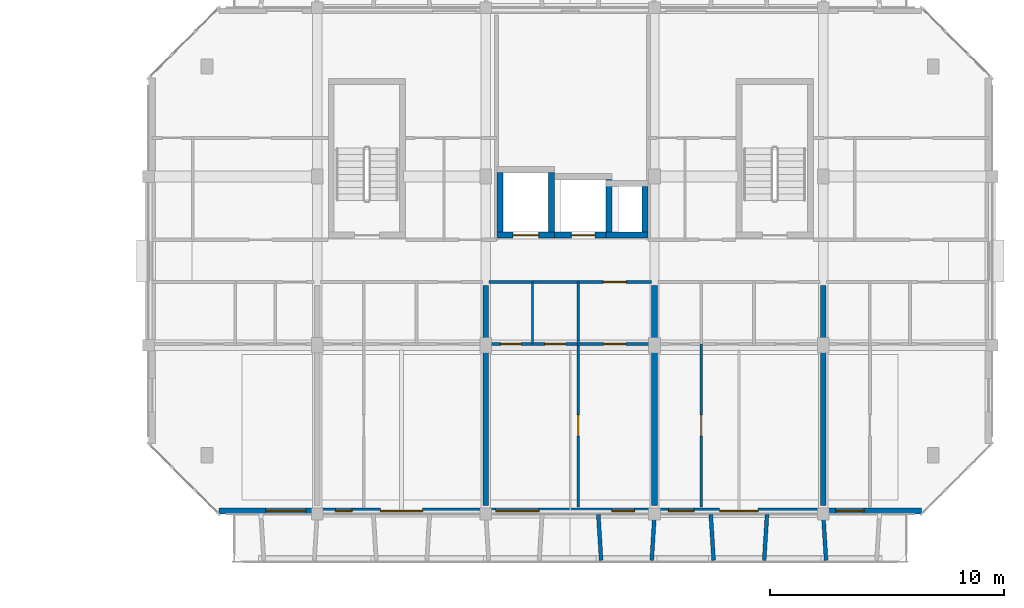
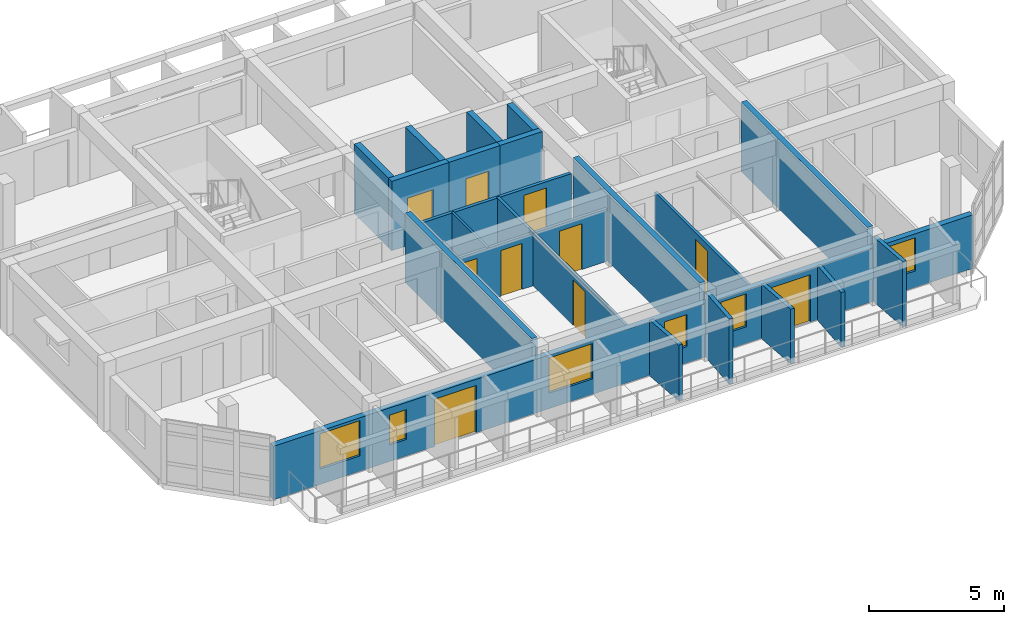
# One storey, part 23 of 44: 22 walls, 10 doors, 6 windows, 16 openings.
"""IFC4 building model written with IfcOpenShell, lengths in metres."""

from ifc_helpers import new_model, si_unit, direction, frame, frame_2d, origin, place, context, subcontext, project, spatial, rectangle, extrude, material, layer, layer_set, type_object, element, fill, save


model = new_model("IFC4")

# Units and contexts
model_context = context("Model", 3, precision=1e-05, world=origin(), true_north=direction((0.0, 1.0)))
body_context = subcontext(model_context, "Body", "Model", "MODEL_VIEW")
ifc_project = project(units=[si_unit("LENGTHUNIT", "METRE"), si_unit("AREAUNIT", "SQUARE_METRE"), si_unit("VOLUMEUNIT", "CUBIC_METRE"), si_unit("PLANEANGLEUNIT", "RADIAN"), si_unit("MASSUNIT", "GRAM", prefix="KILO")], contexts=[model_context])

# Site, building, storey
site_placement = place(None, origin())
site = spatial("IfcSite", under=ifc_project, at=site_placement, CompositionType="ELEMENT")
building_placement = place(site_placement, origin())
building = spatial("IfcBuilding", under=site, at=building_placement, Name="Ochrevale Crest", CompositionType="ELEMENT")
storey_placement = place(building_placement, frame((0.0, 0.0, 21.300048828125)))
storey = spatial("IfcBuildingStorey", under=building, at=storey_placement, Name="L06", CompositionType="ELEMENT", Elevation=21.300048828125)

# Wall, opening, door
ifc_material_1 = material(Name="Gypsum plasterboard", Category="gypsum")
ifc_layer_1 = layer(ifc_material_1, 0.139892578125)
ifc_layer_set_1 = layer_set([ifc_layer_1], Name="Gypsum plasterboard")
wall_type_1 = type_object("IfcWallType", Name="WL-COR-140", PredefinedType="PARTITIONING", material=ifc_layer_set_1)
wall_1_placement = place(storey_placement, frame((144.139892578125, 24.300048828125, 0.0), z_axis=(0.0, 0.0, 1.0), x_axis=(1.0, 0.0, 0.0)))
wall_1 = element("IfcWall", 1, at=wall_1_placement, inside=storey, type_object=wall_type_1, Name="Apartment C-L06-U3 corridor wall", PredefinedType="PARTITIONING", context=body_context, shape_type="SweptSolid", body=[
    extrude(rectangle(XDim=6.920166015625, YDim=0.139892578125, at=frame_2d((3.4599609375, 0.0))), origin(), (0.0, 0.0, 1.0), 2.3798828125),
])
opening_1_placement = place(wall_1_placement, frame((4.8701171875, 0.0, 0.0)))
opening_1 = element("IfcOpeningElement", 2, at=opening_1_placement, cuts=wall_1, Name="Opening FD01", PredefinedType="OPENING", context=body_context, shape_type="SweptSolid", body=[
    extrude(rectangle(XDim=0.97998046875, YDim=2.10009765625, at=frame_2d((0.489990234375, 1.050048828125))), frame((0.0, 0.080078125, 0.0), z_axis=(0.0, -1.0, 0.0), x_axis=(1.0, 0.0, 0.0)), (0.0, 0.0, 1.0), 0.159912109375),
])
ifc_material_2 = material(Name="Solid-core FSC hardwood", Category="wood")
door_type_1 = type_object("IfcDoorType", Name="DR-APT-950", OperationType="NOTDEFINED", PredefinedType="DOOR", material=ifc_material_2)
door_1_placement = place(opening_1_placement, origin())
door_1 = element("IfcDoor", 3, at=door_1_placement, inside=storey, type_object=door_type_1, Name="Apartment C-L06-U3 entrance door", OperationType="SINGLE_SWING_LEFT", OverallHeight=2.10009765625, OverallWidth=0.97998046875, PredefinedType="DOOR", context=body_context, shape_type="SweptSolid", body=[
    extrude(rectangle(XDim=0.97998046875, YDim=2.10009765625, at=frame_2d((0.489990234375, 1.050048828125))), frame((0.0, 0.02490234375, 0.0), z_axis=(0.0, -1.0, 0.0), x_axis=(1.0, 0.0, 0.0)), (0.0, 0.0, 1.0), 0.050048828125),
])
fill(opening_1, door_1)

ifc_material_3 = material(Name="Precast concrete C50/60", Category="concrete")
ifc_layer_2 = layer(ifc_material_3, 0.2548828125)
ifc_layer_set_2 = layer_set([ifc_layer_2], Name="Precast concrete C50/60")
wall_type_2 = type_object("IfcWallType", Name="WL-CORE-255", PredefinedType="SHEAR", material=ifc_layer_set_2)
wall_2_placement = place(storey_placement, frame((144.472412109375, 26.300048828125, 0.0), z_axis=(0.0, 0.0, 1.0), x_axis=(1.0, 0.0, 0.0)))
wall_2 = element("IfcWall", 4, at=wall_2_placement, inside=storey, type_object=wall_type_2, Name="Block C L06 Lift 1 precast shaft shear wall S", PredefinedType="SHEAR", context=body_context, shape_type="SweptSolid", body=[
    extrude(rectangle(XDim=2.455078125, YDim=0.2548828125, at=frame_2d((1.2275390625, 0.0))), origin(), (0.0, 0.0, 1.0), 3.14990234375),
])
opening_2_placement = place(wall_2_placement, frame((0.677490234375, 0.0, 0.0)))
opening_2 = element("IfcOpeningElement", 5, at=opening_2_placement, cuts=wall_2, Name="Opening LD01", PredefinedType="OPENING", context=body_context, shape_type="SweptSolid", body=[
    extrude(rectangle(XDim=1.10009765625, YDim=2.14990234375, at=frame_2d((0.550048828125, 1.074951171875))), frame((0.0, 0.137451171875, 0.0), z_axis=(0.0, -1.0, 0.0), x_axis=(1.0, 0.0, 0.0)), (0.0, 0.0, 1.0), 0.27490234375),
])
door_type_2 = type_object("IfcDoorType", Name="DR-LIFT-1100", OperationType="NOTDEFINED", PredefinedType="DOOR", material=ifc_material_2)
door_2_placement = place(opening_2_placement, origin())
door_2 = element("IfcDoor", 6, at=door_2_placement, inside=storey, type_object=door_type_2, Name="Lift LF-C1 L06 sliding landing door", OperationType="SLIDING_TO_LEFT", OverallHeight=2.14990234375, OverallWidth=1.10009765625, PredefinedType="DOOR", context=body_context, shape_type="SweptSolid", body=[
    extrude(rectangle(XDim=1.10009765625, YDim=2.14990234375, at=frame_2d((0.550048828125, 1.074951171875))), frame((0.0, 0.02490234375, 0.0), z_axis=(0.0, -1.0, 0.0), x_axis=(1.0, 0.0, 0.0)), (0.0, 0.0, 1.0), 0.050048828125),
])
fill(opening_2, door_2)

# Walls
for number, where, z_axis, x_axis, name in (
    (7, (144.60009765625, 26.427490234375, 0.0), (0.0, 0.0, 1.0), (0.0, 1.0, 0.0), "Block C L06 Lift 1 precast shaft shear wall W"),
    (8, (146.800048828125, 26.427490234375, 0.0), (0.0, 0.0, 1.0), (0.0, 1.0, 0.0), "Block C L06 Lift 1 precast shaft shear wall E"),
):
    element("IfcWall", number, at=place(storey_placement, frame(where, z_axis=z_axis, x_axis=x_axis)), inside=storey, type_object=wall_type_2, Name=name, PredefinedType="SHEAR", context=body_context, shape_type="SweptSolid", body=[
        extrude(rectangle(XDim=2.544921875, YDim=0.2548828125, at=frame_2d((1.2724609375, 0.0))), origin(), (0.0, 0.0, 1.0), 3.14990234375),
    ])

# Wall, opening, door
wall_3_placement = place(storey_placement, frame((146.922607421875, 26.300048828125, 0.0), z_axis=(0.0, 0.0, 1.0), x_axis=(1.0, 0.0, 0.0)))
wall_3 = element("IfcWall", 9, at=wall_3_placement, inside=storey, type_object=wall_type_2, Name="Block C L06 Lift 2 precast shaft shear wall S", PredefinedType="SHEAR", context=body_context, shape_type="SweptSolid", body=[
    extrude(rectangle(XDim=2.454833984375, YDim=0.2548828125, at=frame_2d((1.2275390625, 0.0))), origin(), (0.0, 0.0, 1.0), 3.14990234375),
])
opening_3_placement = place(wall_3_placement, frame((0.7275390625, 0.0, 0.0)))
opening_3 = element("IfcOpeningElement", 10, at=opening_3_placement, cuts=wall_3, Name="Opening LD02", PredefinedType="OPENING", context=body_context, shape_type="SweptSolid", body=[
    extrude(rectangle(XDim=1.0, YDim=2.14990234375, at=frame_2d((0.5, 1.074951171875))), frame((0.0, 0.137451171875, 0.0), z_axis=(0.0, -1.0, 0.0), x_axis=(1.0, 0.0, 0.0)), (0.0, 0.0, 1.0), 0.27490234375),
])
door_type_3 = type_object("IfcDoorType", Name="DR-LIFT-1000", OperationType="NOTDEFINED", PredefinedType="DOOR", material=ifc_material_2)
door_3_placement = place(opening_3_placement, origin())
door_3 = element("IfcDoor", 11, at=door_3_placement, inside=storey, type_object=door_type_3, Name="Lift LP-C2 L06 sliding landing door", OperationType="SLIDING_TO_RIGHT", OverallHeight=2.14990234375, OverallWidth=1.0, PredefinedType="DOOR", context=body_context, shape_type="SweptSolid", body=[
    extrude(rectangle(XDim=1.0, YDim=2.14990234375, at=frame_2d((0.5, 1.074951171875))), frame((0.0, 0.02490234375, 0.0), z_axis=(0.0, -1.0, 0.0), x_axis=(1.0, 0.0, 0.0)), (0.0, 0.0, 1.0), 0.050048828125),
])
fill(opening_3, door_3)

# Walls
wall_4_placement = place(storey_placement, frame((149.25, 26.427490234375, 0.0), z_axis=(0.0, 0.0, 1.0), x_axis=(0.0, 1.0, 0.0)))
element("IfcWall", 12, at=wall_4_placement, inside=storey, type_object=wall_type_2, Name="Block C L06 Lift 2 precast shaft shear wall E", PredefinedType="SHEAR", context=body_context, shape_type="SweptSolid", body=[
    extrude(rectangle(XDim=2.2451171875, YDim=0.2548828125, at=frame_2d((1.12255859375, 0.0))), origin(), (0.0, 0.0, 1.0), 3.14990234375),
])
wall_5_placement = place(storey_placement, frame((149.12255859375, 26.300048828125, 0.0), z_axis=(0.0, 0.0, 1.0), x_axis=(1.0, 0.0, 0.0)))
element("IfcWall", 13, at=wall_5_placement, inside=storey, type_object=wall_type_2, Name="Block C L06 services riser shaft core wall S", PredefinedType="SHEAR", context=body_context, shape_type="SweptSolid", body=[
    extrude(rectangle(XDim=1.804931640625, YDim=0.2548828125, at=frame_2d((0.90234375, 0.0))), origin(), (0.0, 0.0, 1.0), 3.14990234375),
])
wall_6_placement = place(storey_placement, frame((150.800048828125, 26.427490234375, 0.0), z_axis=(0.0, 0.0, 1.0), x_axis=(0.0, 1.0, 0.0)))
element("IfcWall", 14, at=wall_6_placement, inside=storey, type_object=wall_type_2, Name="Block C L06 services riser shaft core wall E", PredefinedType="SHEAR", context=body_context, shape_type="SweptSolid", body=[
    extrude(rectangle(XDim=1.945068359375, YDim=0.2548828125, at=frame_2d((0.97265625, 0.0))), origin(), (0.0, 0.0, 1.0), 3.14990234375),
])

# Wall, openings, doors, windows
ifc_material_4 = material(Name="Precast concrete C40/50", Category="concrete")
ifc_layer_3 = layer(ifc_material_4, 0.25)
ifc_layer_set_3 = layer_set([ifc_layer_3], Name="Precast concrete C40/50")
wall_type_3 = type_object("IfcWallType", Name="WL-EXT-GOLD-250", PredefinedType="SOLIDWALL", material=ifc_layer_set_3)
wall_7_placement = place(storey_placement, frame((132.60009765625, 14.52490234375, 0.0), z_axis=(0.0, 0.0, 1.0), x_axis=(1.0, 0.0, 0.0)))
wall_7 = element("IfcWall", 15, at=wall_7_placement, inside=storey, type_object=wall_type_3, Name="Block C L06 external facade wall E1", PredefinedType="SOLIDWALL", context=body_context, shape_type="SweptSolid", body=[
    extrude(rectangle(XDim=30.0, YDim=0.25, at=frame_2d((15.0, 0.0))), origin(), (0.0, 0.0, 1.0), 2.429931640625),
])
opening_4_placement = place(wall_7_placement, frame((8.699951171875, 0.0, 0.0), z_axis=(0.0, 0.0, 1.0), x_axis=(-1.0, 0.0, 0.0)))
opening_4 = element("IfcOpeningElement", 16, at=opening_4_placement, cuts=wall_7, Name="Opening BD03", PredefinedType="OPENING", context=body_context, shape_type="SweptSolid", body=[
    extrude(rectangle(XDim=1.800048828125, YDim=2.14990234375, at=frame_2d((0.89990234375, 1.074951171875))), frame((0.0, 0.135009765625, 0.0), z_axis=(0.0, -1.0, 0.0), x_axis=(1.0, 0.0, 0.0)), (0.0, 0.0, 1.0), 0.27001953125),
])
opening_5_placement = place(wall_7_placement, frame((23.02490234375, 0.0, 0.0), z_axis=(0.0, 0.0, 1.0), x_axis=(-1.0, 0.0, 0.0)))
opening_5 = element("IfcOpeningElement", 17, at=opening_5_placement, cuts=wall_7, Name="Opening BD02", PredefinedType="OPENING", context=body_context, shape_type="SweptSolid", body=[
    extrude(rectangle(XDim=1.64990234375, YDim=2.14990234375, at=frame_2d((0.824951171875, 1.074951171875))), frame((0.0, 0.135009765625, 0.0), z_axis=(0.0, -1.0, 0.0), x_axis=(1.0, 0.0, 0.0)), (0.0, 0.0, 1.0), 0.27001953125),
])
opening_6_placement = place(wall_7_placement, frame((1.9951171875, 0.0, 0.699951171875)))
opening_6 = element("IfcOpeningElement", 18, at=opening_6_placement, cuts=wall_7, Name="Opening W10", PredefinedType="OPENING", context=body_context, shape_type="SweptSolid", body=[
    extrude(rectangle(XDim=1.719970703125, YDim=1.60009765625, at=frame_2d((0.85986328125, 0.800048828125))), frame((0.0, 0.135009765625, 0.0), z_axis=(0.0, -1.0, 0.0), x_axis=(1.0, 0.0, 0.0)), (0.0, 0.0, 1.0), 0.27001953125),
])
opening_7_placement = place(wall_7_placement, frame((4.97509765625, 0.0, 0.75)))
opening_7 = element("IfcOpeningElement", 19, at=opening_7_placement, cuts=wall_7, Name="Opening W02", PredefinedType="OPENING", context=body_context, shape_type="SweptSolid", body=[
    extrude(rectangle(XDim=0.719970703125, YDim=1.35009765625, at=frame_2d((0.35986328125, 0.675048828125))), frame((0.0, 0.135009765625, 0.0), z_axis=(0.0, -1.0, 0.0), x_axis=(1.0, 0.0, 0.0)), (0.0, 0.0, 1.0), 0.27001953125),
])
opening_8_placement = place(wall_7_placement, frame((11.81494140625, 0.0, 0.699951171875)))
opening_8 = element("IfcOpeningElement", 20, at=opening_8_placement, cuts=wall_7, Name="Opening W11", PredefinedType="OPENING", context=body_context, shape_type="SweptSolid", body=[
    extrude(rectangle(XDim=1.860107421875, YDim=1.60009765625, at=frame_2d((0.93017578125, 0.800048828125))), frame((0.0, 0.135009765625, 0.0), z_axis=(0.0, -1.0, 0.0), x_axis=(1.0, 0.0, 0.0)), (0.0, 0.0, 1.0), 0.27001953125),
])
opening_9_placement = place(wall_7_placement, frame((16.764892578125, 0.0, 0.75)))
opening_9 = element("IfcOpeningElement", 21, at=opening_9_placement, cuts=wall_7, Name="Opening W04", PredefinedType="OPENING", context=body_context, shape_type="SweptSolid", body=[
    extrude(rectangle(XDim=0.97998046875, YDim=1.449951171875, at=frame_2d((0.489990234375, 0.72509765625))), frame((0.0, 0.135009765625, 0.0), z_axis=(0.0, -1.0, 0.0), x_axis=(1.0, 0.0, 0.0)), (0.0, 0.0, 1.0), 0.27001953125),
])
opening_10_placement = place(wall_7_placement, frame((19.18505859375, 0.0, 0.75)))
opening_10 = element("IfcOpeningElement", 22, at=opening_10_placement, cuts=wall_7, Name="Opening W05", PredefinedType="OPENING", context=body_context, shape_type="SweptSolid", body=[
    extrude(rectangle(XDim=1.10009765625, YDim=1.5, at=frame_2d((0.550048828125, 0.75))), frame((0.0, 0.135009765625, 0.0), z_axis=(0.0, -1.0, 0.0), x_axis=(1.0, 0.0, 0.0)), (0.0, 0.0, 1.0), 0.27001953125),
])
opening_11_placement = place(wall_7_placement, frame((26.324951171875, 0.0, 0.75)))
opening_11 = element("IfcOpeningElement", 23, at=opening_11_placement, cuts=wall_7, Name="Opening W06", PredefinedType="OPENING", context=body_context, shape_type="SweptSolid", body=[
    extrude(rectangle(XDim=1.219970703125, YDim=1.5, at=frame_2d((0.60986328125, 0.75))), frame((0.0, 0.135009765625, 0.0), z_axis=(0.0, -1.0, 0.0), x_axis=(1.0, 0.0, 0.0)), (0.0, 0.0, 1.0), 0.27001953125),
])
ifc_material_5 = material(Name="Anodised aluminium 6063-T5 and toughened glass", Category="aluminium")
door_type_4 = type_object("IfcDoorType", Name="DR-BAL-1650", OperationType="NOTDEFINED", PredefinedType="DOOR", material=ifc_material_5)
door_4_placement = place(opening_5_placement, origin())
door_4 = element("IfcDoor", 24, at=door_4_placement, inside=storey, type_object=door_type_4, Name="Block C L06 balcony door S4", OperationType="SINGLE_SWING_LEFT", OverallHeight=2.14990234375, OverallWidth=1.64990234375, PredefinedType="DOOR", context=body_context, shape_type="SweptSolid", body=[
    extrude(rectangle(XDim=1.64990234375, YDim=2.14990234375, at=frame_2d((0.824951171875, 1.074951171875))), frame((0.0, 0.02490234375, 0.0), z_axis=(0.0, -1.0, 0.0), x_axis=(1.0, 0.0, 0.0)), (0.0, 0.0, 1.0), 0.050048828125),
])
fill(opening_5, door_4)
door_type_5 = type_object("IfcDoorType", Name="DR-BAL-1800", OperationType="NOTDEFINED", PredefinedType="DOOR", material=ifc_material_5)
door_5_placement = place(opening_4_placement, origin())
door_5 = element("IfcDoor", 25, at=door_5_placement, inside=storey, type_object=door_type_5, Name="Block C L06 balcony door S2", OperationType="SINGLE_SWING_RIGHT", OverallHeight=2.14990234375, OverallWidth=1.800048828125, PredefinedType="DOOR", context=body_context, shape_type="SweptSolid", body=[
    extrude(rectangle(XDim=1.800048828125, YDim=2.14990234375, at=frame_2d((0.89990234375, 1.074951171875))), frame((0.0, 0.02490234375, 0.0), z_axis=(0.0, -1.0, 0.0), x_axis=(1.0, 0.0, 0.0)), (0.0, 0.0, 1.0), 0.050048828125),
])
fill(opening_4, door_5)
ifc_material_6 = material(Name="Anodised aluminium 6063-T5 and low-E double glazing", Category="aluminium")
window_type_1 = type_object("IfcWindowType", Name="WIN-W02", PartitioningType="SINGLE_PANEL", PredefinedType="WINDOW", material=ifc_material_6)
window_1_placement = place(opening_7_placement, origin())
window_1 = element("IfcWindow", 26, at=window_1_placement, inside=storey, type_object=window_type_1, Name="Block C L06 Apartment C-L06-U2 Double Bedroom window", OverallHeight=1.35009765625, OverallWidth=0.719970703125, PartitioningType="SINGLE_PANEL", PredefinedType="WINDOW", context=body_context, shape_type="SweptSolid", body=[
    extrude(rectangle(XDim=0.719970703125, YDim=1.35009765625, at=frame_2d((0.35986328125, 0.675048828125))), frame((0.0, 0.030029296875, 0.0), z_axis=(0.0, -1.0, 0.0), x_axis=(1.0, 0.0, 0.0)), (0.0, 0.0, 1.0), 0.06005859375),
])
fill(opening_7, window_1)
window_type_2 = type_object("IfcWindowType", Name="WIN-W04", PartitioningType="SINGLE_PANEL", PredefinedType="WINDOW", material=ifc_material_6)
window_2_placement = place(opening_9_placement, origin())
window_2 = element("IfcWindow", 27, at=window_2_placement, inside=storey, type_object=window_type_2, Name="Block C L06 Apartment C-L06-U3 One Bedroom Living Room window", OverallHeight=1.449951171875, OverallWidth=0.97998046875, PartitioningType="SINGLE_PANEL", PredefinedType="WINDOW", context=body_context, shape_type="SweptSolid", body=[
    extrude(rectangle(XDim=0.97998046875, YDim=1.449951171875, at=frame_2d((0.489990234375, 0.72509765625))), frame((0.0, 0.030029296875, 0.0), z_axis=(0.0, -1.0, 0.0), x_axis=(1.0, 0.0, 0.0)), (0.0, 0.0, 1.0), 0.06005859375),
])
fill(opening_9, window_2)
window_type_3 = type_object("IfcWindowType", Name="WIN-W05", PartitioningType="SINGLE_PANEL", PredefinedType="WINDOW", material=ifc_material_6)
window_3_placement = place(opening_10_placement, origin())
window_3 = element("IfcWindow", 28, at=window_3_placement, inside=storey, type_object=window_type_3, Name="Block C L06 Apartment C-L06-U4 Twin Bedroom window", OverallHeight=1.5, OverallWidth=1.10009765625, PartitioningType="SINGLE_PANEL", PredefinedType="WINDOW", context=body_context, shape_type="SweptSolid", body=[
    extrude(rectangle(XDim=1.10009765625, YDim=1.5, at=frame_2d((0.550048828125, 0.75))), frame((0.0, 0.030029296875, 0.0), z_axis=(0.0, -1.0, 0.0), x_axis=(1.0, 0.0, 0.0)), (0.0, 0.0, 1.0), 0.06005859375),
])
fill(opening_10, window_3)
window_type_4 = type_object("IfcWindowType", Name="WIN-W06", PartitioningType="SINGLE_PANEL", PredefinedType="WINDOW", material=ifc_material_6)
window_4_placement = place(opening_11_placement, origin())
window_4 = element("IfcWindow", 29, at=window_4_placement, inside=storey, type_object=window_type_4, Name="Block C L06 Apartment C-L06-U5 Double Bedroom window", OverallHeight=1.5, OverallWidth=1.219970703125, PartitioningType="SINGLE_PANEL", PredefinedType="WINDOW", context=body_context, shape_type="SweptSolid", body=[
    extrude(rectangle(XDim=1.219970703125, YDim=1.5, at=frame_2d((0.60986328125, 0.75))), frame((0.0, 0.030029296875, 0.0), z_axis=(0.0, -1.0, 0.0), x_axis=(1.0, 0.0, 0.0)), (0.0, 0.0, 1.0), 0.06005859375),
])
fill(opening_11, window_4)
window_type_5 = type_object("IfcWindowType", Name="WIN-W10", PartitioningType="SINGLE_PANEL", PredefinedType="WINDOW", material=ifc_material_6)
window_5_placement = place(opening_6_placement, origin())
window_5 = element("IfcWindow", 30, at=window_5_placement, inside=storey, type_object=window_type_5, Name="Block C L06 Studio C-L06-U1 Living Room window", OverallHeight=1.60009765625, OverallWidth=1.719970703125, PartitioningType="SINGLE_PANEL", PredefinedType="WINDOW", context=body_context, shape_type="SweptSolid", body=[
    extrude(rectangle(XDim=1.719970703125, YDim=1.60009765625, at=frame_2d((0.85986328125, 0.800048828125))), frame((0.0, 0.030029296875, 0.0), z_axis=(0.0, -1.0, 0.0), x_axis=(1.0, 0.0, 0.0)), (0.0, 0.0, 1.0), 0.06005859375),
])
fill(opening_6, window_5)
window_type_6 = type_object("IfcWindowType", Name="WIN-W11", PartitioningType="SINGLE_PANEL", PredefinedType="WINDOW", material=ifc_material_6)
window_6_placement = place(opening_8_placement, origin())
window_6 = element("IfcWindow", 31, at=window_6_placement, inside=storey, type_object=window_type_6, Name="Block C L06 Apartment C-L06-U3 Master Bedroom window", OverallHeight=1.60009765625, OverallWidth=1.860107421875, PartitioningType="SINGLE_PANEL", PredefinedType="WINDOW", context=body_context, shape_type="SweptSolid", body=[
    extrude(rectangle(XDim=1.860107421875, YDim=1.60009765625, at=frame_2d((0.93017578125, 0.800048828125))), frame((0.0, 0.030029296875, 0.0), z_axis=(0.0, -1.0, 0.0), x_axis=(1.0, 0.0, 0.0)), (0.0, 0.0, 1.0), 0.06005859375),
])
fill(opening_8, window_6)

# Walls
ifc_layer_4 = layer(ifc_material_4, 0.1650390625)
ifc_layer_set_4 = layer_set([ifc_layer_4], Name="Precast concrete C40/50")
wall_type_4 = type_object("IfcWallType", Name="WL-HC-CHEEK-165", PredefinedType="ELEMENTEDWALL", material=ifc_layer_set_4)
wall_8_placement = place(storey_placement, frame((148.800048828125, 14.3798828125, 0.0), z_axis=(0.0, 0.0, 1.0), x_axis=(0.061046865508, -0.998134900808, 0.0)))
element("IfcWall", 32, at=wall_8_placement, inside=storey, type_object=wall_type_4, Name="Block C L06 S precast honeycomb cheek 7", PredefinedType="ELEMENTEDWALL", context=body_context, shape_type="SweptSolid", body=[
    extrude(rectangle(XDim=1.963623046875, YDim=0.1650390625, at=frame_2d((0.98193359375, 0.0))), origin(), (0.0, 0.0, 1.0), 2.530029296875),
])
wall_9_placement = place(storey_placement, frame((151.199951171875, 14.3798828125, 0.0), z_axis=(0.0, 0.0, 1.0), x_axis=(-0.061046865508, -0.998134900808, 0.0)))
element("IfcWall", 33, at=wall_9_placement, inside=storey, type_object=wall_type_4, Name="Block C L06 S precast honeycomb cheek 8", PredefinedType="ELEMENTEDWALL", context=body_context, shape_type="SweptSolid", body=[
    extrude(rectangle(XDim=1.963623046875, YDim=0.1650390625, at=frame_2d((0.98193359375, 0.0))), origin(), (0.0, 0.0, 1.0), 2.949951171875),
])
for number, where, z_axis, x_axis, name in (
    (34, (153.60009765625, 14.3798828125, 0.0), (0.0, 0.0, 1.0), (0.061046865508, -0.998134900808, 0.0), "Block C L06 S precast honeycomb cheek 9"),
    (35, (156.0, 14.3798828125, 0.0), (0.0, 0.0, 1.0), (-0.061170732449, -0.998127317276, 0.0), "Block C L06 S precast honeycomb cheek 10"),
):
    element("IfcWall", number, at=place(storey_placement, frame(where, z_axis=z_axis, x_axis=x_axis)), inside=storey, type_object=wall_type_4, Name=name, PredefinedType="ELEMENTEDWALL", context=body_context, shape_type="SweptSolid", body=[
        extrude(rectangle(XDim=1.963623046875, YDim=0.1650390625, at=frame_2d((0.98193359375, 0.0))), origin(), (0.0, 0.0, 1.0), 2.47998046875),
    ])
wall_10_placement = place(storey_placement, frame((158.39990234375, 14.3798828125, 0.0), z_axis=(0.0, 0.0, 1.0), x_axis=(0.061170732449, -0.998127317276, 0.0)))
element("IfcWall", 36, at=wall_10_placement, inside=storey, type_object=wall_type_4, Name="Block C L06 S precast honeycomb cheek 11", PredefinedType="ELEMENTEDWALL", context=body_context, shape_type="SweptSolid", body=[
    extrude(rectangle(XDim=1.963623046875, YDim=0.1650390625, at=frame_2d((0.98193359375, 0.0))), origin(), (0.0, 0.0, 1.0), 2.949951171875),
])
ifc_layer_5 = layer(ifc_material_1, 0.1201171875)
ifc_layer_set_5 = layer_set([ifc_layer_5], Name="Gypsum plasterboard")
wall_type_5 = type_object("IfcWallType", Name="WL-PART-120", PredefinedType="PARTITIONING", material=ifc_layer_set_5)
wall_11_placement = place(storey_placement, frame((147.93994140625, 21.64990234375, 0.0), z_axis=(0.0, 0.0, 1.0), x_axis=(0.0, 1.0, 0.0)))
element("IfcWall", 37, at=wall_11_placement, inside=storey, type_object=wall_type_5, Name="Apartment C-L06-U3 kitchen-foyer wall", PredefinedType="PARTITIONING", context=body_context, shape_type="SweptSolid", body=[
    extrude(rectangle(XDim=2.650146484375, YDim=0.1201171875, at=frame_2d((1.3251953125, 0.0))), origin(), (0.0, 0.0, 1.0), 2.3798828125),
])

# Wall, openings, doors
wall_12_placement = place(storey_placement, frame((144.139892578125, 21.64990234375, 0.0), z_axis=(0.0, 0.0, 1.0), x_axis=(1.0, 0.0, 0.0)))
wall_12 = element("IfcWall", 38, at=wall_12_placement, inside=storey, type_object=wall_type_5, Name="Apartment C-L06-U3 central partition", PredefinedType="PARTITIONING", context=body_context, shape_type="SweptSolid", body=[
    extrude(rectangle(XDim=6.920166015625, YDim=0.1201171875, at=frame_2d((3.4599609375, 0.0))), origin(), (0.0, 0.0, 1.0), 2.3798828125),
])
opening_12_placement = place(wall_12_placement, frame((1.35009765625, 0.0, 0.0), z_axis=(0.0, 0.0, 1.0), x_axis=(-1.0, 0.0, 0.0)))
opening_12 = element("IfcOpeningElement", 39, at=opening_12_placement, cuts=wall_12, Name="Opening ID01", PredefinedType="OPENING", context=body_context, shape_type="SweptSolid", body=[
    extrude(rectangle(XDim=0.85009765625, YDim=2.080078125, at=frame_2d((0.425048828125, 1.0400390625))), frame((0.0, 0.070068359375, 0.0), z_axis=(0.0, -1.0, 0.0), x_axis=(1.0, 0.0, 0.0)), (0.0, 0.0, 1.0), 0.14013671875),
])
opening_13_placement = place(wall_12_placement, frame((2.375, 0.0, 0.0)))
opening_13 = element("IfcOpeningElement", 40, at=opening_13_placement, cuts=wall_12, Name="Opening ID02", PredefinedType="OPENING", context=body_context, shape_type="SweptSolid", body=[
    extrude(rectangle(XDim=0.89990234375, YDim=2.080078125, at=frame_2d((0.449951171875, 1.0400390625))), frame((0.0, 0.070068359375, 0.0), z_axis=(0.0, -1.0, 0.0), x_axis=(1.0, 0.0, 0.0)), (0.0, 0.0, 1.0), 0.14013671875),
])
opening_14_placement = place(wall_12_placement, frame((5.8349609375, 0.0, 0.0), z_axis=(0.0, 0.0, 1.0), x_axis=(-1.0, 0.0, 0.0)))
opening_14 = element("IfcOpeningElement", 41, at=opening_14_placement, cuts=wall_12, Name="Opening ID06", PredefinedType="OPENING", context=body_context, shape_type="SweptSolid", body=[
    extrude(rectangle(XDim=0.949951171875, YDim=2.080078125, at=frame_2d((0.47509765625, 1.0400390625))), frame((0.0, 0.070068359375, 0.0), z_axis=(0.0, -1.0, 0.0), x_axis=(1.0, 0.0, 0.0)), (0.0, 0.0, 1.0), 0.14013671875),
])
door_type_6 = type_object("IfcDoorType", Name="DR-INT-900", OperationType="NOTDEFINED", PredefinedType="DOOR", material=ifc_material_2)
door_6_placement = place(opening_13_placement, origin())
door_6 = element("IfcDoor", 42, at=door_6_placement, inside=storey, type_object=door_type_6, Name="Apartment C-L06-U3 Kitchen door", OperationType="SINGLE_SWING_LEFT", OverallHeight=2.080078125, OverallWidth=0.89990234375, PredefinedType="DOOR", context=body_context, shape_type="SweptSolid", body=[
    extrude(rectangle(XDim=0.89990234375, YDim=2.080078125, at=frame_2d((0.449951171875, 1.0400390625))), frame((0.0, 0.02490234375, 0.0), z_axis=(0.0, -1.0, 0.0), x_axis=(1.0, 0.0, 0.0)), (0.0, 0.0, 1.0), 0.050048828125),
])
fill(opening_13, door_6)
door_type_7 = type_object("IfcDoorType", Name="DR-INT-950", OperationType="NOTDEFINED", PredefinedType="DOOR", material=ifc_material_2)
door_7_placement = place(opening_14_placement, origin())
door_7 = element("IfcDoor", 43, at=door_7_placement, inside=storey, type_object=door_type_7, Name="Apartment C-L06-U3 Living Foyer door", OperationType="SINGLE_SWING_RIGHT", OverallHeight=2.080078125, OverallWidth=0.949951171875, PredefinedType="DOOR", context=body_context, shape_type="SweptSolid", body=[
    extrude(rectangle(XDim=0.949951171875, YDim=2.080078125, at=frame_2d((0.47509765625, 1.0400390625))), frame((0.0, 0.02490234375, 0.0), z_axis=(0.0, -1.0, 0.0), x_axis=(1.0, 0.0, 0.0)), (0.0, 0.0, 1.0), 0.050048828125),
])
fill(opening_14, door_7)
door_type_8 = type_object("IfcDoorType", Name="DR-WC-850", OperationType="NOTDEFINED", PredefinedType="DOOR", material=ifc_material_2)
door_8_placement = place(opening_12_placement, origin())
door_8 = element("IfcDoor", 44, at=door_8_placement, inside=storey, type_object=door_type_8, Name="Apartment C-L06-U3 Bathroom door", OperationType="SINGLE_SWING_RIGHT", OverallHeight=2.080078125, OverallWidth=0.85009765625, PredefinedType="DOOR", context=body_context, shape_type="SweptSolid", body=[
    extrude(rectangle(XDim=0.85009765625, YDim=2.080078125, at=frame_2d((0.425048828125, 1.0400390625))), frame((0.0, 0.02490234375, 0.0), z_axis=(0.0, -1.0, 0.0), x_axis=(1.0, 0.0, 0.0)), (0.0, 0.0, 1.0), 0.050048828125),
])
fill(opening_12, door_8)

# Wall, opening, door
wall_13_placement = place(storey_placement, frame((147.93994140625, 14.699951171875, 0.0), z_axis=(0.0, 0.0, 1.0), x_axis=(0.0, 1.0, 0.0)))
wall_13 = element("IfcWall", 45, at=wall_13_placement, inside=storey, type_object=wall_type_5, Name="Apartment C-L06-U3 bedroom partition", PredefinedType="PARTITIONING", context=body_context, shape_type="SweptSolid", body=[
    extrude(rectangle(XDim=6.949951171875, YDim=0.1201171875, at=frame_2d((3.47509765625, 0.0))), origin(), (0.0, 0.0, 1.0), 2.3798828125),
])
opening_15_placement = place(wall_13_placement, frame((3.02490234375, 0.0, 0.0)))
opening_15 = element("IfcOpeningElement", 46, at=opening_15_placement, cuts=wall_13, Name="Opening ID02", PredefinedType="OPENING", context=body_context, shape_type="SweptSolid", body=[
    extrude(rectangle(XDim=0.89990234375, YDim=2.080078125, at=frame_2d((0.449951171875, 1.0400390625))), frame((0.0, 0.070068359375, 0.0), z_axis=(0.0, -1.0, 0.0), x_axis=(1.0, 0.0, 0.0)), (0.0, 0.0, 1.0), 0.14013671875),
])
door_9_placement = place(opening_15_placement, origin())
door_9 = element("IfcDoor", 47, at=door_9_placement, inside=storey, type_object=door_type_6, Name="Apartment C-L06-U3 Master Bedroom door", OperationType="SINGLE_SWING_LEFT", OverallHeight=2.080078125, OverallWidth=0.89990234375, PredefinedType="DOOR", context=body_context, shape_type="SweptSolid", body=[
    extrude(rectangle(XDim=0.89990234375, YDim=2.080078125, at=frame_2d((0.449951171875, 1.0400390625))), frame((0.0, 0.02490234375, 0.0), z_axis=(0.0, -1.0, 0.0), x_axis=(1.0, 0.0, 0.0)), (0.0, 0.0, 1.0), 0.050048828125),
])
fill(opening_15, door_9)

wall_14_placement = place(storey_placement, frame((153.18994140625, 14.699951171875, 0.0), z_axis=(0.0, 0.0, 1.0), x_axis=(0.0, 1.0, 0.0)))
wall_14 = element("IfcWall", 48, at=wall_14_placement, inside=storey, type_object=wall_type_5, Name="Apartment C-L06-U4 bedroom partition", PredefinedType="PARTITIONING", context=body_context, shape_type="SweptSolid", body=[
    extrude(rectangle(XDim=6.949951171875, YDim=0.1201171875, at=frame_2d((3.47509765625, 0.0))), origin(), (0.0, 0.0, 1.0), 2.3798828125),
])
opening_16_placement = place(wall_14_placement, frame((3.9248046875, 0.0, 0.0), z_axis=(0.0, 0.0, 1.0), x_axis=(-1.0, 0.0, 0.0)))
opening_16 = element("IfcOpeningElement", 49, at=opening_16_placement, cuts=wall_14, Name="Opening ID02", PredefinedType="OPENING", context=body_context, shape_type="SweptSolid", body=[
    extrude(rectangle(XDim=0.89990234375, YDim=2.080078125, at=frame_2d((0.449951171875, 1.0400390625))), frame((0.0, 0.070068359375, 0.0), z_axis=(0.0, -1.0, 0.0), x_axis=(1.0, 0.0, 0.0)), (0.0, 0.0, 1.0), 0.14013671875),
])
door_10_placement = place(opening_16_placement, origin())
door_10 = element("IfcDoor", 50, at=door_10_placement, inside=storey, type_object=door_type_6, Name="Apartment C-L06-U4 Twin Bedroom door", OperationType="SINGLE_SWING_RIGHT", OverallHeight=2.080078125, OverallWidth=0.89990234375, PredefinedType="DOOR", context=body_context, shape_type="SweptSolid", body=[
    extrude(rectangle(XDim=0.89990234375, YDim=2.080078125, at=frame_2d((0.449951171875, 1.0400390625))), frame((0.0, 0.02490234375, 0.0), z_axis=(0.0, -1.0, 0.0), x_axis=(1.0, 0.0, 0.0)), (0.0, 0.0, 1.0), 0.050048828125),
])
fill(opening_16, door_10)

# Walls
ifc_layer_6 = layer(ifc_material_3, 0.239990234375)
ifc_layer_set_6 = layer_set([ifc_layer_6], Name="Precast concrete C50/60")
wall_type_6 = type_object("IfcWallType", Name="WL-SHEAR-240", PredefinedType="SHEAR", material=ifc_layer_set_6)
for number, where, z_axis, x_axis, name in (
    (51, (144.0, 14.75, 0.0), (0.0, 0.0, 1.0), (0.0, 1.0, 0.0), "Block C L06 load-bearing precast cross-wall X=144.0"),
    (52, (151.199951171875, 14.75, 0.0), (0.0, 0.0, 1.0), (0.0, 1.0, 0.0), "Block C L06 load-bearing precast cross-wall X=151.2"),
    (53, (158.39990234375, 14.75, 0.0), (0.0, 0.0, 1.0), (0.0, 1.0, 0.0), "Block C L06 load-bearing precast cross-wall X=158.4"),
):
    element("IfcWall", number, at=place(storey_placement, frame(where, z_axis=z_axis, x_axis=x_axis)), inside=storey, type_object=wall_type_6, Name=name, PredefinedType="SHEAR", context=body_context, shape_type="SweptSolid", body=[
        extrude(rectangle(XDim=9.39990234375, YDim=0.239990234375, at=frame_2d((4.699951171875, 0.0))), origin(), (0.0, 0.0, 1.0), 3.14990234375),
    ])
ifc_layer_7 = layer(ifc_material_1, 0.10009765625)
ifc_layer_set_7 = layer_set([ifc_layer_7], Name="Gypsum plasterboard")
wall_type_7 = type_object("IfcWallType", Name="WL-WET-100", PredefinedType="PARTITIONING", material=ifc_layer_set_7)
wall_15_placement = place(storey_placement, frame((145.989990234375, 21.64990234375, 0.0), z_axis=(0.0, 0.0, 1.0), x_axis=(0.0, 1.0, 0.0)))
element("IfcWall", 54, at=wall_15_placement, inside=storey, type_object=wall_type_7, Name="Apartment C-L06-U3 bath-kitchen wall", PredefinedType="PARTITIONING", context=body_context, shape_type="SweptSolid", body=[
    extrude(rectangle(XDim=2.650146484375, YDim=0.10009765625, at=frame_2d((1.3251953125, 0.0))), origin(), (0.0, 0.0, 1.0), 2.3798828125),
])

save(model, "model.ifc")
